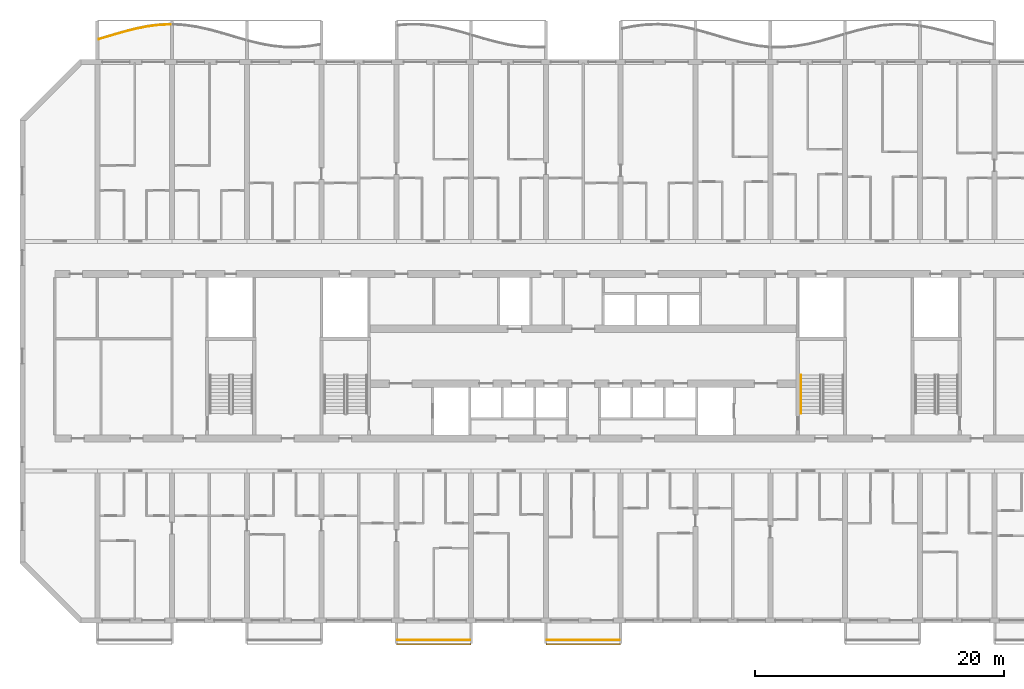
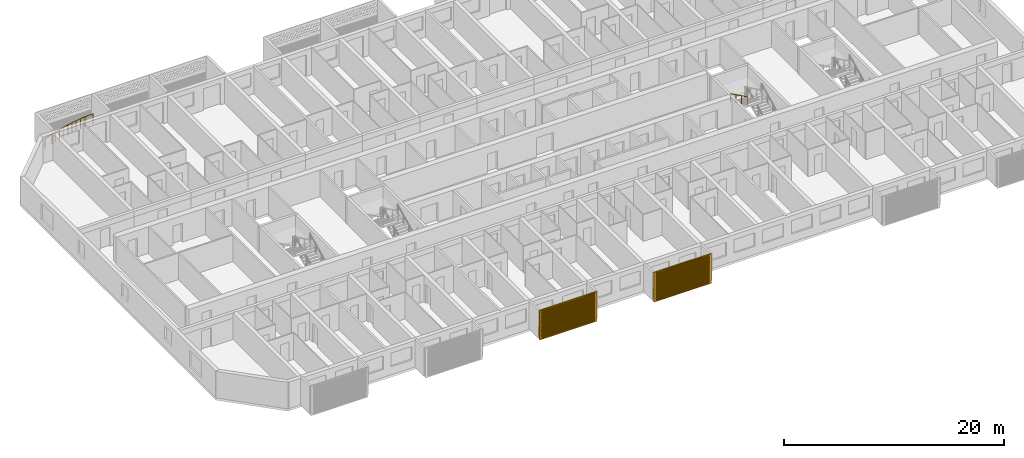
# One storey, part 19 of 39: 4 railings, 2 shading devices.
"""IFC4 building model written with IfcOpenShell, lengths in metres."""

from ifc_helpers import new_model, si_unit, direction, frame, origin, origin_2d, place, context, subcontext, project, spatial, polyline, circle, outline, extrude, source, transform, mapped, material, material_profile, profile_set, type_object, element, save


model = new_model("IFC4")

# Units and contexts
model_context = context("Model", 3, precision=1e-05, world=origin(), true_north=direction((0.0, 1.0)))
body_context = subcontext(model_context, "Body", "Model", "MODEL_VIEW")
ifc_project = project(units=[si_unit("LENGTHUNIT", "METRE"), si_unit("AREAUNIT", "SQUARE_METRE"), si_unit("VOLUMEUNIT", "CUBIC_METRE"), si_unit("PLANEANGLEUNIT", "RADIAN"), si_unit("MASSUNIT", "GRAM", prefix="KILO")], contexts=[model_context])

# Site, building, storey
site_placement = place(None, origin())
site = spatial("IfcSite", under=ifc_project, at=site_placement, CompositionType="ELEMENT")
building_placement = place(site_placement, origin())
building = spatial("IfcBuilding", under=site, at=building_placement, Name="Poui Terraces", CompositionType="ELEMENT")
storey_placement = place(building_placement, frame((0.0, 0.0, 63.0)))
storey = spatial("IfcBuildingStorey", under=building, at=storey_placement, Name="L17", CompositionType="ELEMENT", Elevation=63.0)

# Railings
ifc_material_1 = material(Name="Painted steel fretwork", Category="steel")
railing_type_1 = type_object("IfcRailingType", Name="BALCONY GUARD 1100", PredefinedType="GUARDRAIL", material=ifc_material_1)
railing_1_placement = place(storey_placement, frame((12.125, 46.6376953125, 0.0)))
element("IfcRailing", 1, at=railing_1_placement, inside=storey, type_object=railing_type_1, Name="BALCONY GUARD", PredefinedType="GUARDRAIL", context=body_context, shape_type="SweptSolid", body=[
    extrude(circle(Radius=0.02392578125, at=origin_2d()), frame((0.0, 0.0, 1.076171875), z_axis=(0.959374026053, 0.282137339135, 0.0), x_axis=(-0.282137339135, 0.959374026053, 0.0)), (0.0, 0.0, 1.0), 0.912109375),
    extrude(circle(Radius=0.02392578125, at=origin_2d()), frame((0.875, 0.25732421875, 1.076171875), z_axis=(0.959663427085, 0.281151394654, 0.0), x_axis=(-0.281151394654, 0.959663427085, 0.0)), (0.0, 0.0, 1.0), 1.0419921875),
    extrude(circle(Radius=0.02392578125, at=origin_2d()), frame((1.875, 0.55029296875, 1.076171875), z_axis=(0.967184558731, 0.254074849901, 0.0), x_axis=(-0.254074849901, 0.967184558731, 0.0)), (0.0, 0.0, 1.0), 1.033935546875),
    extrude(circle(Radius=0.02392578125, at=origin_2d()), frame((2.875, 0.81298828125, 1.076171875), z_axis=(0.979518122884, 0.201356020378, 0.0), x_axis=(-0.201356020378, 0.979518122884, 0.0)), (0.0, 0.0, 1.0), 1.02099609375),
    extrude(circle(Radius=0.02392578125, at=origin_2d()), frame((3.875, 1.0185546875, 1.076171875), z_axis=(0.992007284566, 0.126180614077, 0.0), x_axis=(-0.126180614077, 0.992007284566, 0.0)), (0.0, 0.0, 1.0), 1.008056640625),
    extrude(circle(Radius=0.02392578125, at=origin_2d()), frame((4.875, 1.145751953125, 1.076171875), z_axis=(0.999125325571, 0.041816071104, 0.0), x_axis=(-0.041816071104, 0.999125325571, 0.0)), (0.0, 0.0, 1.0), 0.875732421875),
    extrude(circle(Radius=0.02099609375, at=origin_2d()), origin(), (0.0, 0.0, 1.0), 1.052001953125),
    extrude(circle(Radius=0.02099609375, at=origin_2d()), frame((0.875, 0.25732421875, 0.0)), (0.0, 0.0, 1.0), 1.052001953125),
    extrude(circle(Radius=0.02099609375, at=origin_2d()), frame((1.375, 0.40380859375, 0.0)), (0.0, 0.0, 1.0), 1.052001953125),
    extrude(circle(Radius=0.02099609375, at=origin_2d()), frame((1.875, 0.55029296875, 0.0)), (0.0, 0.0, 1.0), 1.052001953125),
    extrude(circle(Radius=0.02099609375, at=origin_2d()), frame((2.375, 0.681640625, 0.0)), (0.0, 0.0, 1.0), 1.052001953125),
    extrude(circle(Radius=0.02099609375, at=origin_2d()), frame((2.875, 0.81298828125, 0.0)), (0.0, 0.0, 1.0), 1.052001953125),
    extrude(circle(Radius=0.02099609375, at=origin_2d()), frame((3.375, 0.915771484375, 0.0)), (0.0, 0.0, 1.0), 1.052001953125),
    extrude(circle(Radius=0.02099609375, at=origin_2d()), frame((3.875, 1.0185546875, 0.0)), (0.0, 0.0, 1.0), 1.052001953125),
    extrude(circle(Radius=0.02099609375, at=origin_2d()), frame((4.375, 1.08203125, 0.0)), (0.0, 0.0, 1.0), 1.052001953125),
    extrude(circle(Radius=0.02099609375, at=origin_2d()), frame((4.875, 1.145751953125, 0.0)), (0.0, 0.0, 1.0), 1.052001953125),
    extrude(circle(Radius=0.02099609375, at=origin_2d()), frame((5.75, 1.182373046875, 0.0)), (0.0, 0.0, 1.0), 1.052001953125),
])
for number, where, name in (
    (2, (36.10009765625, -1.570068359375, 0.0), "BALCONY GUARD"),
    (3, (48.10009765625, -1.570068359375, 0.0), "BALCONY GUARD"),
):
    element("IfcRailing", number, at=place(storey_placement, frame(where)), inside=storey, type_object=railing_type_1, Name=name, PredefinedType="GUARDRAIL", context=body_context, shape_type="SweptSolid", body=[
        extrude(circle(Radius=0.02392578125, at=origin_2d()), frame((0.0, 0.0, 1.076171875), z_axis=(1.0, 0.0, 0.0), x_axis=(0.0, 1.0, 0.0)), (0.0, 0.0, 1.0), 5.7998046875),
        extrude(circle(Radius=0.02099609375, at=origin_2d()), origin(), (0.0, 0.0, 1.0), 1.052001953125),
        extrude(circle(Radius=0.02099609375, at=origin_2d()), frame((0.966552734375, 0.0, 0.0)), (0.0, 0.0, 1.0), 1.052001953125),
        extrude(circle(Radius=0.02099609375, at=origin_2d()), frame((1.933349609375, 0.0, 0.0)), (0.0, 0.0, 1.0), 1.052001953125),
        extrude(circle(Radius=0.02099609375, at=origin_2d()), frame((2.89990234375, 0.0, 0.0)), (0.0, 0.0, 1.0), 1.052001953125),
        extrude(circle(Radius=0.02099609375, at=origin_2d()), frame((3.866455078125, 0.0, 0.0)), (0.0, 0.0, 1.0), 1.052001953125),
        extrude(circle(Radius=0.02099609375, at=origin_2d()), frame((4.833251953125, 0.0, 0.0)), (0.0, 0.0, 1.0), 1.052001953125),
        extrude(circle(Radius=0.02099609375, at=origin_2d()), frame((5.7998046875, 0.0, 0.0)), (0.0, 0.0, 1.0), 1.052001953125),
    ])
ifc_material_2 = material(Name="Stainless steel handrail", Category="steel")
railing_type_2 = type_object("IfcRailingType", Name="STAIR HANDRAIL 900", PredefinedType="HANDRAIL", material=ifc_material_2)
railing_2_placement = place(storey_placement, frame((68.47509765625, 19.679931640625, 1.78759765625)))
element("IfcRailing", 4, at=railing_2_placement, inside=storey, type_object=railing_type_2, Name="L17 ST-CE stair handrail 2", PredefinedType="HANDRAIL", context=body_context, shape_type="SweptSolid", body=[
    extrude(circle(Radius=0.02392578125, at=origin_2d()), frame((0.0, 0.0, 0.8759765625), z_axis=(0.0, -0.897606190399, 0.440798283751), x_axis=(1.0, 0.0, 0.0)), (0.0, 0.0, 1.0), 3.43115234375),
    extrude(circle(Radius=0.02099609375, at=origin_2d()), origin(), (0.0, 0.0, 1.0), 0.851806640625),
    extrude(circle(Radius=0.02099609375, at=origin_2d()), frame((0.0, -1.026611328125, 0.504150390625)), (0.0, 0.0, 1.0), 0.851806640625),
    extrude(circle(Radius=0.02099609375, at=origin_2d()), frame((0.0, -2.05322265625, 1.00830078125)), (0.0, 0.0, 1.0), 0.851806640625),
    extrude(circle(Radius=0.02099609375, at=origin_2d()), frame((0.0, -3.079833984375, 1.512451171875)), (0.0, 0.0, 1.0), 0.851806640625),
])

# Shading devices
ifc_material_3 = material(Name="Aluminium louvre", Category="aluminium")
ifc_material_profile = material_profile(ifc_material_3, outline(polyline([(-3.0, -1.64990234375), (3.0, -1.64990234375), (3.0, 1.64990234375), (-3.0, 1.64990234375), (-3.0, -1.64990234375)]), holes=[polyline([(-2.800048828125, -1.530029296875), (2.800048828125, -1.530029296875), (2.800048828125, -1.469970703125), (-2.800048828125, -1.469970703125), (-2.800048828125, -1.530029296875)]), polyline([(-2.800048828125, -1.429931640625), (2.800048828125, -1.429931640625), (2.800048828125, -1.3701171875), (-2.800048828125, -1.3701171875), (-2.800048828125, -1.429931640625)]), polyline([(-2.800048828125, -1.330078125), (2.800048828125, -1.330078125), (2.800048828125, -1.27001953125), (-2.800048828125, -1.27001953125), (-2.800048828125, -1.330078125)]), polyline([(-2.800048828125, -1.22998046875), (2.800048828125, -1.22998046875), (2.800048828125, -1.169921875), (-2.800048828125, -1.169921875), (-2.800048828125, -1.22998046875)]), polyline([(-2.800048828125, -1.1298828125), (2.800048828125, -1.1298828125), (2.800048828125, -1.070068359375), (-2.800048828125, -1.070068359375), (-2.800048828125, -1.1298828125)]), polyline([(-2.800048828125, -1.030029296875), (2.800048828125, -1.030029296875), (2.800048828125, -0.969970703125), (-2.800048828125, -0.969970703125), (-2.800048828125, -1.030029296875)]), polyline([(-2.800048828125, -0.929931640625), (2.800048828125, -0.929931640625), (2.800048828125, -0.8701171875), (-2.800048828125, -0.8701171875), (-2.800048828125, -0.929931640625)]), polyline([(-2.800048828125, -0.830078125), (2.800048828125, -0.830078125), (2.800048828125, -0.77001953125), (-2.800048828125, -0.77001953125), (-2.800048828125, -0.830078125)]), polyline([(-2.800048828125, -0.72998046875), (2.800048828125, -0.72998046875), (2.800048828125, -0.669921875), (-2.800048828125, -0.669921875), (-2.800048828125, -0.72998046875)]), polyline([(-2.800048828125, -0.6298828125), (2.800048828125, -0.6298828125), (2.800048828125, -0.570068359375), (-2.800048828125, -0.570068359375), (-2.800048828125, -0.6298828125)]), polyline([(-2.800048828125, -0.530029296875), (2.800048828125, -0.530029296875), (2.800048828125, -0.469970703125), (-2.800048828125, -0.469970703125), (-2.800048828125, -0.530029296875)]), polyline([(-2.800048828125, -0.429931640625), (2.800048828125, -0.429931640625), (2.800048828125, -0.3701171875), (-2.800048828125, -0.3701171875), (-2.800048828125, -0.429931640625)]), polyline([(-2.800048828125, -0.330078125), (2.800048828125, -0.330078125), (2.800048828125, -0.27001953125), (-2.800048828125, -0.27001953125), (-2.800048828125, -0.330078125)]), polyline([(-2.800048828125, -0.22998046875), (2.800048828125, -0.22998046875), (2.800048828125, -0.169921875), (-2.800048828125, -0.169921875), (-2.800048828125, -0.22998046875)]), polyline([(-2.800048828125, -0.1298828125), (2.800048828125, -0.1298828125), (2.800048828125, -0.070068359375), (-2.800048828125, -0.070068359375), (-2.800048828125, -0.1298828125)]), polyline([(-2.800048828125, -0.030029296875), (2.800048828125, -0.030029296875), (2.800048828125, 0.030029296875), (-2.800048828125, 0.030029296875), (-2.800048828125, -0.030029296875)]), polyline([(-2.800048828125, 0.070068359375), (2.800048828125, 0.070068359375), (2.800048828125, 0.1298828125), (-2.800048828125, 0.1298828125), (-2.800048828125, 0.070068359375)]), polyline([(-2.800048828125, 0.169921875), (2.800048828125, 0.169921875), (2.800048828125, 0.22998046875), (-2.800048828125, 0.22998046875), (-2.800048828125, 0.169921875)]), polyline([(-2.800048828125, 0.27001953125), (2.800048828125, 0.27001953125), (2.800048828125, 0.330078125), (-2.800048828125, 0.330078125), (-2.800048828125, 0.27001953125)]), polyline([(-2.800048828125, 0.3701171875), (2.800048828125, 0.3701171875), (2.800048828125, 0.429931640625), (-2.800048828125, 0.429931640625), (-2.800048828125, 0.3701171875)]), polyline([(-2.800048828125, 0.469970703125), (2.800048828125, 0.469970703125), (2.800048828125, 0.530029296875), (-2.800048828125, 0.530029296875), (-2.800048828125, 0.469970703125)]), polyline([(-2.800048828125, 0.570068359375), (2.800048828125, 0.570068359375), (2.800048828125, 0.6298828125), (-2.800048828125, 0.6298828125), (-2.800048828125, 0.570068359375)]), polyline([(-2.800048828125, 0.669921875), (2.800048828125, 0.669921875), (2.800048828125, 0.72998046875), (-2.800048828125, 0.72998046875), (-2.800048828125, 0.669921875)]), polyline([(-2.800048828125, 0.77001953125), (2.800048828125, 0.77001953125), (2.800048828125, 0.830078125), (-2.800048828125, 0.830078125), (-2.800048828125, 0.77001953125)]), polyline([(-2.800048828125, 0.8701171875), (2.800048828125, 0.8701171875), (2.800048828125, 0.929931640625), (-2.800048828125, 0.929931640625), (-2.800048828125, 0.8701171875)]), polyline([(-2.800048828125, 0.969970703125), (2.800048828125, 0.969970703125), (2.800048828125, 1.030029296875), (-2.800048828125, 1.030029296875), (-2.800048828125, 0.969970703125)]), polyline([(-2.800048828125, 1.070068359375), (2.800048828125, 1.070068359375), (2.800048828125, 1.1298828125), (-2.800048828125, 1.1298828125), (-2.800048828125, 1.070068359375)]), polyline([(-2.800048828125, 1.169921875), (2.800048828125, 1.169921875), (2.800048828125, 1.22998046875), (-2.800048828125, 1.22998046875), (-2.800048828125, 1.169921875)]), polyline([(-2.800048828125, 1.27001953125), (2.800048828125, 1.27001953125), (2.800048828125, 1.330078125), (-2.800048828125, 1.330078125), (-2.800048828125, 1.27001953125)]), polyline([(-2.800048828125, 1.3701171875), (2.800048828125, 1.3701171875), (2.800048828125, 1.429931640625), (-2.800048828125, 1.429931640625), (-2.800048828125, 1.3701171875)]), polyline([(-2.800048828125, 1.469970703125), (2.800048828125, 1.469970703125), (2.800048828125, 1.530029296875), (-2.800048828125, 1.530029296875), (-2.800048828125, 1.469970703125)])]), Name="JALOUSIE LOUVRE SHUTTER 6000X3300")
ifc_profile_set = profile_set([ifc_material_profile], Name="Aluminium louvre")
shading_device_type = type_object("IfcShadingDeviceType", Name="JALOUSIE LOUVRE SHUTTER 6000X3300", PredefinedType="JALOUSIE", material=ifc_profile_set)
shared_shape = source(origin(), body_context, "Body", "SweptSolid", [
    extrude(outline(polyline([(-3.0, -1.64990234375), (3.0, -1.64990234375), (3.0, 1.64990234375), (-3.0, 1.64990234375), (-3.0, -1.64990234375)]), holes=[polyline([(-2.800048828125, -1.530029296875), (2.800048828125, -1.530029296875), (2.800048828125, -1.469970703125), (-2.800048828125, -1.469970703125), (-2.800048828125, -1.530029296875)]), polyline([(-2.800048828125, -1.429931640625), (2.800048828125, -1.429931640625), (2.800048828125, -1.3701171875), (-2.800048828125, -1.3701171875), (-2.800048828125, -1.429931640625)]), polyline([(-2.800048828125, -1.330078125), (2.800048828125, -1.330078125), (2.800048828125, -1.27001953125), (-2.800048828125, -1.27001953125), (-2.800048828125, -1.330078125)]), polyline([(-2.800048828125, -1.22998046875), (2.800048828125, -1.22998046875), (2.800048828125, -1.169921875), (-2.800048828125, -1.169921875), (-2.800048828125, -1.22998046875)]), polyline([(-2.800048828125, -1.1298828125), (2.800048828125, -1.1298828125), (2.800048828125, -1.070068359375), (-2.800048828125, -1.070068359375), (-2.800048828125, -1.1298828125)]), polyline([(-2.800048828125, -1.030029296875), (2.800048828125, -1.030029296875), (2.800048828125, -0.969970703125), (-2.800048828125, -0.969970703125), (-2.800048828125, -1.030029296875)]), polyline([(-2.800048828125, -0.929931640625), (2.800048828125, -0.929931640625), (2.800048828125, -0.8701171875), (-2.800048828125, -0.8701171875), (-2.800048828125, -0.929931640625)]), polyline([(-2.800048828125, -0.830078125), (2.800048828125, -0.830078125), (2.800048828125, -0.77001953125), (-2.800048828125, -0.77001953125), (-2.800048828125, -0.830078125)]), polyline([(-2.800048828125, -0.72998046875), (2.800048828125, -0.72998046875), (2.800048828125, -0.669921875), (-2.800048828125, -0.669921875), (-2.800048828125, -0.72998046875)]), polyline([(-2.800048828125, -0.6298828125), (2.800048828125, -0.6298828125), (2.800048828125, -0.570068359375), (-2.800048828125, -0.570068359375), (-2.800048828125, -0.6298828125)]), polyline([(-2.800048828125, -0.530029296875), (2.800048828125, -0.530029296875), (2.800048828125, -0.469970703125), (-2.800048828125, -0.469970703125), (-2.800048828125, -0.530029296875)]), polyline([(-2.800048828125, -0.429931640625), (2.800048828125, -0.429931640625), (2.800048828125, -0.3701171875), (-2.800048828125, -0.3701171875), (-2.800048828125, -0.429931640625)]), polyline([(-2.800048828125, -0.330078125), (2.800048828125, -0.330078125), (2.800048828125, -0.27001953125), (-2.800048828125, -0.27001953125), (-2.800048828125, -0.330078125)]), polyline([(-2.800048828125, -0.22998046875), (2.800048828125, -0.22998046875), (2.800048828125, -0.169921875), (-2.800048828125, -0.169921875), (-2.800048828125, -0.22998046875)]), polyline([(-2.800048828125, -0.1298828125), (2.800048828125, -0.1298828125), (2.800048828125, -0.070068359375), (-2.800048828125, -0.070068359375), (-2.800048828125, -0.1298828125)]), polyline([(-2.800048828125, -0.030029296875), (2.800048828125, -0.030029296875), (2.800048828125, 0.030029296875), (-2.800048828125, 0.030029296875), (-2.800048828125, -0.030029296875)]), polyline([(-2.800048828125, 0.070068359375), (2.800048828125, 0.070068359375), (2.800048828125, 0.1298828125), (-2.800048828125, 0.1298828125), (-2.800048828125, 0.070068359375)]), polyline([(-2.800048828125, 0.169921875), (2.800048828125, 0.169921875), (2.800048828125, 0.22998046875), (-2.800048828125, 0.22998046875), (-2.800048828125, 0.169921875)]), polyline([(-2.800048828125, 0.27001953125), (2.800048828125, 0.27001953125), (2.800048828125, 0.330078125), (-2.800048828125, 0.330078125), (-2.800048828125, 0.27001953125)]), polyline([(-2.800048828125, 0.3701171875), (2.800048828125, 0.3701171875), (2.800048828125, 0.429931640625), (-2.800048828125, 0.429931640625), (-2.800048828125, 0.3701171875)]), polyline([(-2.800048828125, 0.469970703125), (2.800048828125, 0.469970703125), (2.800048828125, 0.530029296875), (-2.800048828125, 0.530029296875), (-2.800048828125, 0.469970703125)]), polyline([(-2.800048828125, 0.570068359375), (2.800048828125, 0.570068359375), (2.800048828125, 0.6298828125), (-2.800048828125, 0.6298828125), (-2.800048828125, 0.570068359375)]), polyline([(-2.800048828125, 0.669921875), (2.800048828125, 0.669921875), (2.800048828125, 0.72998046875), (-2.800048828125, 0.72998046875), (-2.800048828125, 0.669921875)]), polyline([(-2.800048828125, 0.77001953125), (2.800048828125, 0.77001953125), (2.800048828125, 0.830078125), (-2.800048828125, 0.830078125), (-2.800048828125, 0.77001953125)]), polyline([(-2.800048828125, 0.8701171875), (2.800048828125, 0.8701171875), (2.800048828125, 0.929931640625), (-2.800048828125, 0.929931640625), (-2.800048828125, 0.8701171875)]), polyline([(-2.800048828125, 0.969970703125), (2.800048828125, 0.969970703125), (2.800048828125, 1.030029296875), (-2.800048828125, 1.030029296875), (-2.800048828125, 0.969970703125)]), polyline([(-2.800048828125, 1.070068359375), (2.800048828125, 1.070068359375), (2.800048828125, 1.1298828125), (-2.800048828125, 1.1298828125), (-2.800048828125, 1.070068359375)]), polyline([(-2.800048828125, 1.169921875), (2.800048828125, 1.169921875), (2.800048828125, 1.22998046875), (-2.800048828125, 1.22998046875), (-2.800048828125, 1.169921875)]), polyline([(-2.800048828125, 1.27001953125), (2.800048828125, 1.27001953125), (2.800048828125, 1.330078125), (-2.800048828125, 1.330078125), (-2.800048828125, 1.27001953125)]), polyline([(-2.800048828125, 1.3701171875), (2.800048828125, 1.3701171875), (2.800048828125, 1.429931640625), (-2.800048828125, 1.429931640625), (-2.800048828125, 1.3701171875)]), polyline([(-2.800048828125, 1.469970703125), (2.800048828125, 1.469970703125), (2.800048828125, 1.530029296875), (-2.800048828125, 1.530029296875), (-2.800048828125, 1.469970703125)])]), origin(), (0.0, 0.0, 1.0), 0.099853515625),
])
for number, where, z_axis, x_axis, name in (
    (5, (39.0, -1.85009765625, 1.449951171875), (0.0, -1.0, 0.0), (1.0, 0.0, 0.0), "JALOUSIE LOUVRE SHUTTER"),
    (6, (51.0, -1.85009765625, 1.449951171875), (0.0, -1.0, 0.0), (1.0, 0.0, 0.0), "JALOUSIE LOUVRE SHUTTER"),
):
    element("IfcShadingDevice", number, at=place(storey_placement, frame(where, z_axis=z_axis, x_axis=x_axis)), inside=storey, type_object=shading_device_type, Name=name, PredefinedType="JALOUSIE", context=body_context, shape_type="MappedRepresentation", body=[
        mapped(shared_shape, transform((0.0, 0.0, 0.0))),
    ])

save(model, "model.ifc")
